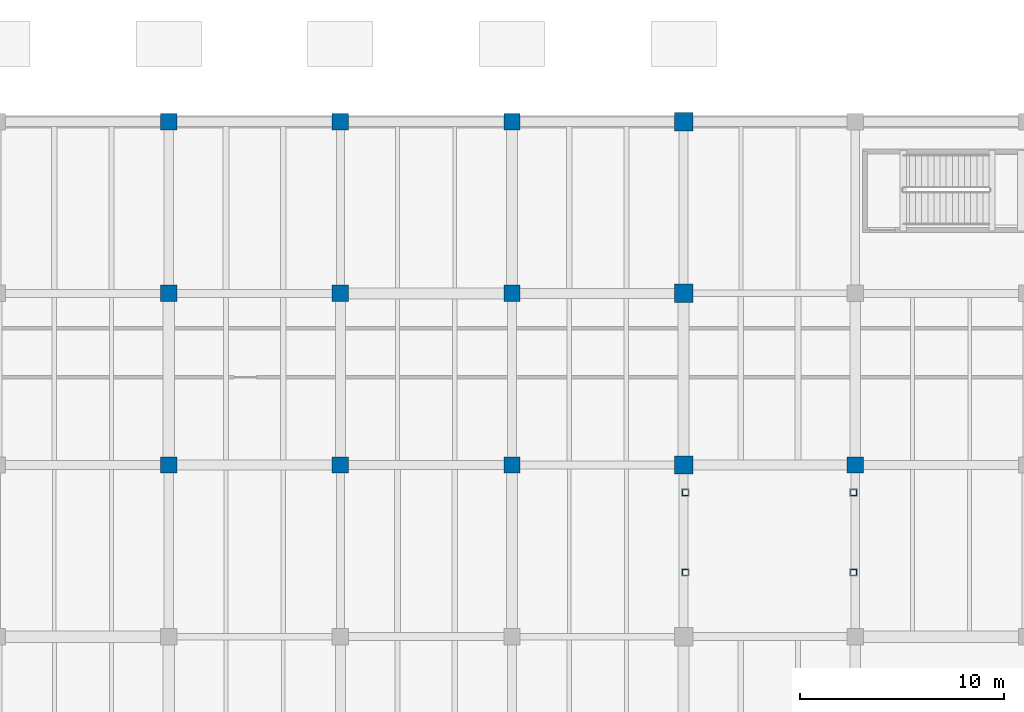
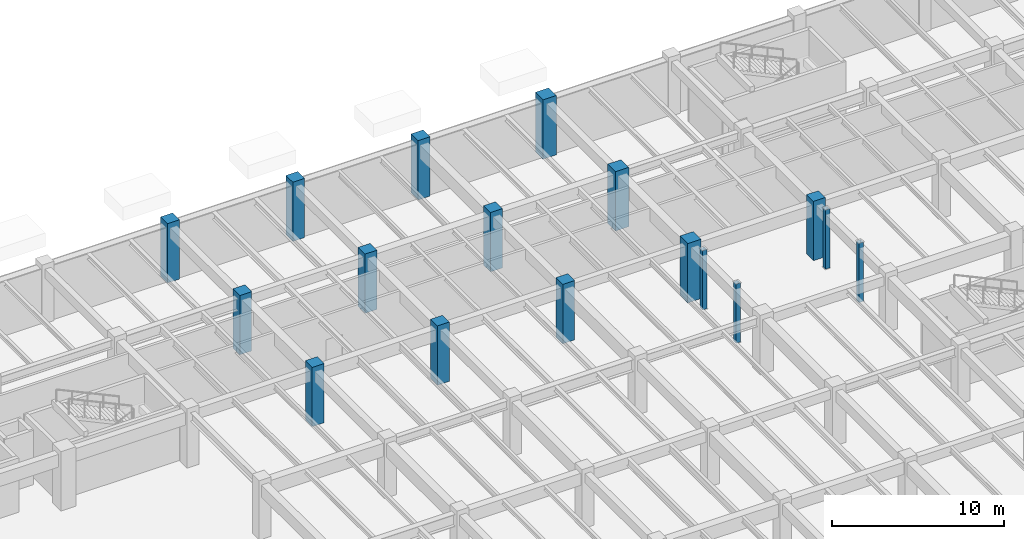
# One storey, part 11 of 63: 17 columns.
"""IFC4 building model written with IfcOpenShell, lengths in metres."""

import ifcopenshell
import ifcopenshell.guid

model = None  # the IFC model being written
_history = None  # IfcOwnerHistory: only IFC2X3 demands one
_inside = {}  # id of a spatial element -> (the spatial element, [elements in it])
_under = {}  # id of a project, library or spatial element -> (it, [spatial elements below it])
_declared = {}  # id of a project -> (the project, [libraries it declares])
_typed = {}  # id of a type object -> (the type object, [elements of that type])
_made_of = {}  # id of a material, layer set ... -> (it, [elements and type objects made of it])


def new_model(schema):
    """Start an empty IFC model of exactly this schema.

    Asked for "IFC4X3", IfcOpenShell would pick the latest addendum, in which some entities
    have other attributes; the version numbers below select the first issue.
    IFC2X3 requires an IfcOwnerHistory on every rooted entity: one is made here for all.
    """
    global model, _history
    if schema == "IFC4X3":
        model = ifcopenshell.file(schema_version=(4, 3, 0, 0))
    else:
        model = ifcopenshell.file(schema=schema)
    _inside.clear()
    _under.clear()
    _declared.clear()
    _typed.clear()
    _made_of.clear()
    _history = None
    if model.schema == "IFC2X3":
        org = make("IfcOrganization", Name="unknown")
        user = make(
            "IfcPersonAndOrganization",
            ThePerson=make("IfcPerson", FamilyName="unknown"),
            TheOrganization=org,
        )
        app = make(
            "IfcApplication",
            ApplicationDeveloper=org,
            Version="unknown",
            ApplicationFullName="unknown",
            ApplicationIdentifier="unknown",
        )
        _history = make(
            "IfcOwnerHistory",
            OwningUser=user,
            OwningApplication=app,
            ChangeAction="ADDED",
            CreationDate=0,
        )
    return model


def make(cls, **values):
    """One entity of the class cls with the attributes given. An attribute that is None is left unset."""
    return model.create_entity(
        cls, **{name: value for name, value in values.items() if value is not None}
    )


def rooted(cls, **values):
    """An entity with a GlobalId (a new one), such as an element, a storey or a relation."""
    return make(cls, GlobalId=ifcopenshell.guid.new(), OwnerHistory=_history, **values)


def si_unit(unit_type, name, prefix=None):
    """IfcSIUnit, for example si_unit("LENGTHUNIT", "METRE", prefix="MILLI")."""
    return make("IfcSIUnit", UnitType=unit_type, Prefix=prefix, Name=name)


def assignment(units):
    """IfcUnitAssignment: the units of a project."""
    return None if units is None else make("IfcUnitAssignment", Units=units)


def point(xyz):
    """IfcCartesianPoint."""
    return None if xyz is None else make("IfcCartesianPoint", Coordinates=xyz)


def direction(xyz):
    """IfcDirection."""
    return None if xyz is None else make("IfcDirection", DirectionRatios=xyz)


def frame(location, z_axis=None, x_axis=None):
    """IfcAxis2Placement3D, a coordinate frame: its origin and axes. An axis left out is left unset."""
    return make(
        "IfcAxis2Placement3D",
        Location=point(location),
        Axis=direction(z_axis),
        RefDirection=direction(x_axis),
    )


def frame_2d(location, x_axis=None):
    """IfcAxis2Placement2D, a coordinate frame in the plane: its origin and x axis."""
    return make(
        "IfcAxis2Placement2D", Location=point(location), RefDirection=direction(x_axis)
    )


def origin():
    """The frame at (0, 0, 0) with its axes left unset."""
    return frame((0.0, 0.0, 0.0))


def origin_2d():
    """The frame at (0, 0) in the plane with its x axis left unset."""
    return frame_2d((0.0, 0.0))


def place(relative_to, where):
    """IfcLocalPlacement: puts the frame where relative to a parent placement (None: the world)."""
    return make(
        "IfcLocalPlacement", PlacementRelTo=relative_to, RelativePlacement=where
    )


def context(
    kind, dimensions, precision=None, world=None, true_north=None, identifier=None
):
    """IfcGeometricRepresentationContext, for example the 3D "Model" context."""
    return make(
        "IfcGeometricRepresentationContext",
        ContextIdentifier=identifier,
        ContextType=kind,
        CoordinateSpaceDimension=dimensions,
        Precision=precision,
        WorldCoordinateSystem=world,
        TrueNorth=true_north,
    )


def subcontext(parent, identifier, kind, view, scale=None):
    """IfcGeometricRepresentationSubContext, for example "Body" below "Model"."""
    return make(
        "IfcGeometricRepresentationSubContext",
        ContextIdentifier=identifier,
        ContextType=kind,
        ParentContext=parent,
        TargetScale=scale,
        TargetView=view,
    )


def project(units=None, contexts=None):
    """IfcProject with its units and contexts."""
    return rooted(
        "IfcProject",
        Name="project",
        RepresentationContexts=contexts,
        UnitsInContext=assignment(units),
    )


def spatial(cls, under=None, at=None, **own):
    """A site, building, storey or space (cls), placed at a placement, below another one or the project."""
    s = rooted(cls, ObjectPlacement=at, **own)
    if under is not None:
        _under.setdefault(under.id(), (under, []))[1].append(s)
    return s


def profile(cls, at=None, kind="AREA", **sizes):
    """A parametric profile (cls). Its sizes go by their IFC names, for example OverallWidth=200.0."""
    return make(cls, ProfileType=kind, Position=at, **sizes)


def rectangle(**sizes):
    """IfcRectangleProfileDef."""
    return profile("IfcRectangleProfileDef", **sizes)


def hollow_rectangle(**sizes):
    """IfcRectangleHollowProfileDef."""
    return profile("IfcRectangleHollowProfileDef", **sizes)


def extrude(swept, where, along, depth):
    """IfcExtrudedAreaSolid: the profile swept, set in the frame where, extruded along a direction by depth."""
    return make(
        "IfcExtrudedAreaSolid",
        SweptArea=swept,
        Position=where,
        ExtrudedDirection=direction(along),
        Depth=depth,
    )


def shape(context_of_items, identifier, shape_type, items):
    """IfcShapeRepresentation: the items that make up one representation, for example the "Body"."""
    return make(
        "IfcShapeRepresentation",
        ContextOfItems=context_of_items,
        RepresentationIdentifier=identifier,
        RepresentationType=shape_type,
        Items=items,
    )


def material(Name=None, Category=None):
    """IfcMaterial."""
    return make("IfcMaterial", Name=Name, Category=Category)


def material_profile(
    of_material, cross_section, Name=None, Category=None, Priority=None
):
    """IfcMaterialProfile: a cross section and its material."""
    return make(
        "IfcMaterialProfile",
        Name=Name,
        Material=of_material,
        Profile=cross_section,
        Priority=Priority,
        Category=Category,
    )


def profile_set(profiles, Name=None, composite=None):
    """IfcMaterialProfileSet."""
    return make(
        "IfcMaterialProfileSet",
        Name=Name,
        MaterialProfiles=profiles,
        CompositeProfile=composite,
    )


def made_of(thing, what):
    """Note that an element or type object is made of a material, layer set ...; save() writes the relation."""
    if what is not None:
        _made_of.setdefault(what.id(), (what, []))[1].append(thing)
    return thing


def type_object(cls, material=None, **own):
    """A type object (cls), such as IfcWallType, which elements share."""
    return made_of(rooted(cls, **own), material)


def element(
    cls,
    number,
    at=None,
    inside=None,
    cuts=None,
    type_object=None,
    material=None,
    context=None,
    identifier="Body",
    shape_type=None,
    held_by="IfcProductDefinitionShape",
    body=None,
    shapes=None,
    **own,
):
    """One element of the class cls, such as IfcWall. Its Tag is "e" and its number.

    at: its placement. inside: the storey or other place that contains it. cuts: it is an
    opening in that element (IfcRelVoidsElement). A single representation is given by context,
    identifier, shape_type and body (its items); several are given by shapes. held_by: the class
    of the entity that holds the representations. save() writes the other relations.
    """
    e = rooted(cls, Tag="e%d" % number, ObjectPlacement=at, **own)
    if body is not None:
        shapes = [shape(context, identifier, shape_type, body)]
    if shapes is not None:
        e.Representation = make(held_by, Representations=shapes)
    if inside is not None:
        _inside.setdefault(inside.id(), (inside, []))[1].append(e)
    if cuts is not None:
        rooted(
            "IfcRelVoidsElement", RelatingBuildingElement=cuts, RelatedOpeningElement=e
        )
    if type_object is not None:
        _typed.setdefault(type_object.id(), (type_object, []))[1].append(e)
    return made_of(e, material)


def aggregate(whole, parts):
    """IfcRelAggregates: a whole, such as a stair, and the parts it consists of."""
    return rooted("IfcRelAggregates", RelatingObject=whole, RelatedObjects=parts)


def save(model, path):
    """Write the relations noted so far, then the file.

    IfcRelAggregates (storeys below a building ...), IfcRelContainedInSpatialStructure (elements
    in a storey), IfcRelDefinesByType, IfcRelAssociatesMaterial and IfcRelDeclares: one each for
    every whole, place, type object, material and project.
    """
    for whole, parts in _under.values():
        aggregate(whole, parts)
    for where, things in _inside.values():
        rooted(
            "IfcRelContainedInSpatialStructure",
            RelatedElements=things,
            RelatingStructure=where,
        )
    for kind, things in _typed.values():
        rooted("IfcRelDefinesByType", RelatedObjects=things, RelatingType=kind)
    for what, things in _made_of.values():
        rooted("IfcRelAssociatesMaterial", RelatedObjects=things, RelatingMaterial=what)
    for by, libraries in _declared.values():
        rooted("IfcRelDeclares", RelatingContext=by, RelatedDefinitions=libraries)
    model.write(path)


model = new_model("IFC4")

# Units and contexts
model_context = context("Model", 3, precision=1e-05, world=origin(), true_north=direction((0.0, 1.0)))
body_context = subcontext(model_context, "Body", "Model", "MODEL_VIEW")
ifc_project = project(units=[si_unit("LENGTHUNIT", "METRE"), si_unit("AREAUNIT", "SQUARE_METRE"), si_unit("VOLUMEUNIT", "CUBIC_METRE"), si_unit("PLANEANGLEUNIT", "RADIAN"), si_unit("MASSUNIT", "GRAM", prefix="KILO")], contexts=[model_context])

# Site, building, storey
site_placement = place(None, origin())
site = spatial("IfcSite", under=ifc_project, at=site_placement, CompositionType="ELEMENT")
building_placement = place(site_placement, origin())
building = spatial("IfcBuilding", under=site, at=building_placement, Name="Cumbredor Promenade Congress Hotel", CompositionType="ELEMENT")
storey_placement = place(building_placement, frame((0.0, 0.0, -4.199951171875)))
storey = spatial("IfcBuildingStorey", under=building, at=storey_placement, Name="B01", CompositionType="ELEMENT", Elevation=-4.199951171875)

# Columns
ifc_material_1 = material(Name="Concrete C50/60", Category="concrete")
ifc_material_profile_1 = material_profile(ifc_material_1, rectangle(XDim=0.800048828125, YDim=0.800048828125, at=origin_2d()), Name="RC 800x800")
ifc_profile_set_1 = profile_set([ifc_material_profile_1], Name="Concrete C50/60")
column_type_1 = type_object("IfcColumnType", Name="COL-RC-800", PredefinedType="COLUMN", material=ifc_profile_set_1)
for number, where, z_axis, x_axis, name in (
    (1, (58.800048828125, 100.800048828125, 0.0), (0.0, 0.0, 1.0), (1.0, 0.0, 0.0), "B01 Structural Column 097"),
    (2, (58.800048828125, 109.199951171875, 0.0), (0.0, 0.0, 1.0), (1.0, 0.0, 0.0), "B01 Structural Column 098"),
    (3, (58.800048828125, 117.60009765625, 0.0), (0.0, 0.0, 1.0), (1.0, 0.0, 0.0), "B01 Structural Column 099"),
    (4, (67.199951171875, 100.800048828125, 0.0), (0.0, 0.0, 1.0), (1.0, 0.0, 0.0), "B01 Structural Column 111"),
    (5, (67.199951171875, 109.199951171875, 0.0), (0.0, 0.0, 1.0), (1.0, 0.0, 0.0), "B01 Structural Column 112"),
    (6, (67.199951171875, 117.60009765625, 0.0), (0.0, 0.0, 1.0), (1.0, 0.0, 0.0), "B01 Structural Column 113"),
    (7, (75.60009765625, 100.800048828125, 0.0), (0.0, 0.0, 1.0), (1.0, 0.0, 0.0), "B01 Structural Column 125"),
    (8, (75.60009765625, 109.199951171875, 0.0), (0.0, 0.0, 1.0), (1.0, 0.0, 0.0), "B01 Structural Column 126"),
    (9, (75.60009765625, 117.60009765625, 0.0), (0.0, 0.0, 1.0), (1.0, 0.0, 0.0), "B01 Structural Column 127"),
    (10, (92.39990234375, 100.800048828125, 0.0), (0.0, 0.0, 1.0), (1.0, 0.0, 0.0), "B01 Structural Column 153"),
):
    element("IfcColumn", number, at=place(storey_placement, frame(where, z_axis=z_axis, x_axis=x_axis)), inside=storey, type_object=column_type_1, Name=name, PredefinedType="COLUMN", context=body_context, shape_type="SweptSolid", body=[
        extrude(rectangle(XDim=0.800048828125, YDim=0.800048828125, at=origin_2d()), origin(), (0.0, 0.0, 1.0), 4.199951171875),
    ])
ifc_material_profile_2 = material_profile(ifc_material_1, rectangle(XDim=0.89990234375, YDim=0.89990234375, at=origin_2d()), Name="RC 900x900")
ifc_profile_set_2 = profile_set([ifc_material_profile_2], Name="Concrete C50/60")
column_type_2 = type_object("IfcColumnType", Name="COL-RC-900", PredefinedType="COLUMN", material=ifc_profile_set_2)
for number, where, z_axis, x_axis, name in (
    (11, (84.0, 100.800048828125, 0.0), (0.0, 0.0, 1.0), (1.0, 0.0, 0.0), "B01 Structural Column 139"),
    (12, (84.0, 109.199951171875, 0.0), (0.0, 0.0, 1.0), (1.0, 0.0, 0.0), "B01 Structural Column 140"),
    (13, (84.0, 117.60009765625, 0.0), (0.0, 0.0, 1.0), (1.0, 0.0, 0.0), "B01 Structural Column 141"),
):
    element("IfcColumn", number, at=place(storey_placement, frame(where, z_axis=z_axis, x_axis=x_axis)), inside=storey, type_object=column_type_2, Name=name, PredefinedType="COLUMN", context=body_context, shape_type="SweptSolid", body=[
        extrude(rectangle(XDim=0.89990234375, YDim=0.89990234375, at=origin_2d()), origin(), (0.0, 0.0, 1.0), 4.199951171875),
    ])
ifc_material_2 = material(Name="Steel ASTM A500 Grade C", Category="steel")
ifc_material_profile_3 = material_profile(ifc_material_2, hollow_rectangle(XDim=0.300048828125, YDim=0.300048828125, WallThickness=0.01611328125, at=origin_2d()), Name="HSS 300x300x16")
ifc_profile_set_3 = profile_set([ifc_material_profile_3], Name="Steel ASTM A500 Grade C")
column_type_3 = type_object("IfcColumnType", Name="COL-STL-HSS300", PredefinedType="COLUMN", material=ifc_profile_set_3)
for number, where, z_axis, x_axis, name in (
    (14, (84.080078125, 95.550048828125, 0.0), (0.0, 0.0, 1.0), (1.0, 0.0, 0.0), "North Hotel-to-Forum Glazed Bridge B01 Substructure Pier 1"),
    (15, (84.080078125, 99.449951171875, 0.0), (0.0, 0.0, 1.0), (1.0, 0.0, 0.0), "North Hotel-to-Forum Glazed Bridge B01 Substructure Pier 2"),
    (16, (92.320068359375, 95.550048828125, 0.0), (0.0, 0.0, 1.0), (1.0, 0.0, 0.0), "North Hotel-to-Forum Glazed Bridge B01 Substructure Pier 3"),
    (17, (92.320068359375, 99.449951171875, 0.0), (0.0, 0.0, 1.0), (1.0, 0.0, 0.0), "North Hotel-to-Forum Glazed Bridge B01 Substructure Pier 4"),
):
    element("IfcColumn", number, at=place(storey_placement, frame(where, z_axis=z_axis, x_axis=x_axis)), inside=storey, type_object=column_type_3, Name=name, PredefinedType="COLUMN", context=body_context, shape_type="SweptSolid", body=[
        extrude(hollow_rectangle(XDim=0.300048828125, YDim=0.300048828125, WallThickness=0.01611328125, at=origin_2d()), origin(), (0.0, 0.0, 1.0), 4.199951171875),
    ])

save(model, "model.ifc")
